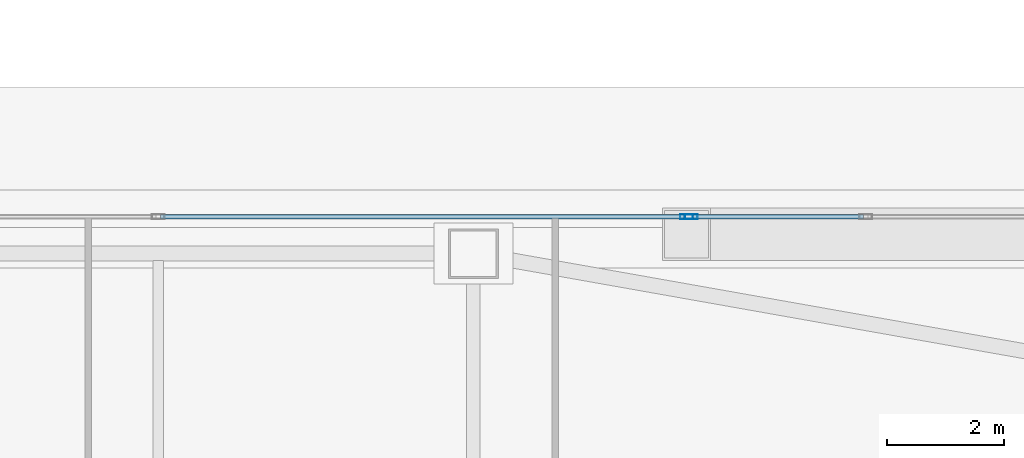
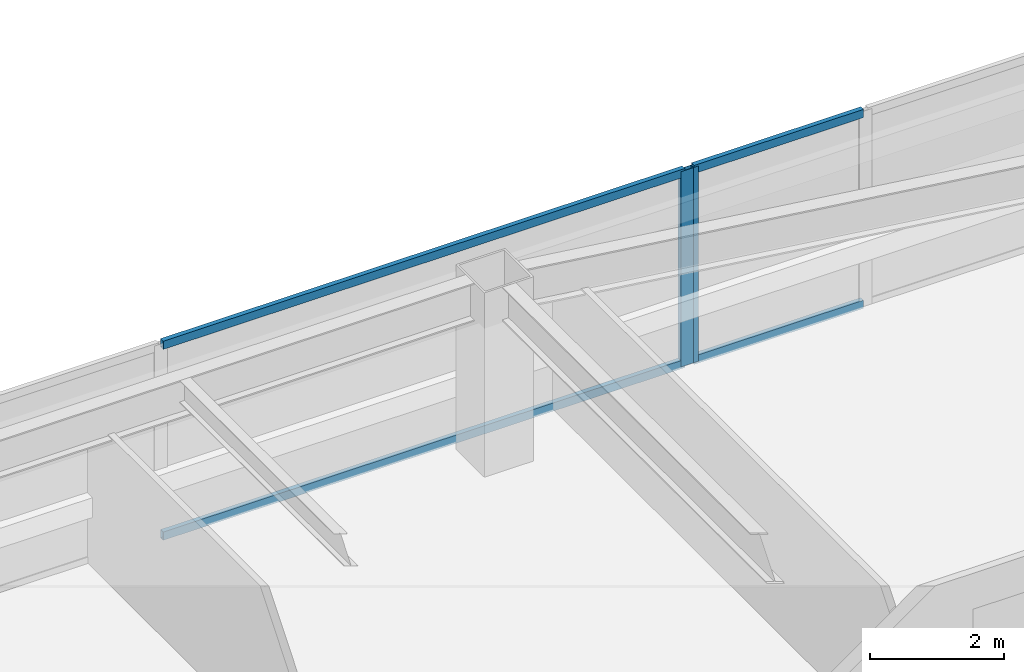
# One storey, part 25 of 67: 6 members, 2 elements without a shape of their own.
"""IFC4 building model written with IfcOpenShell, lengths in metres."""

from ifc_helpers import new_model, si_unit, direction, frame, origin, origin_2d, place, context, subcontext, project, spatial, hollow_rectangle, extrude, material, material_profile, profile_set, type_object, element, aggregate, save


model = new_model("IFC4")

# Units and contexts
model_context = context("Model", 3, precision=1e-05, world=origin(), true_north=direction((0.0, 1.0)))
body_context = subcontext(model_context, "Body", "Model", "MODEL_VIEW")
ifc_project = project(units=[si_unit("LENGTHUNIT", "METRE"), si_unit("AREAUNIT", "SQUARE_METRE"), si_unit("VOLUMEUNIT", "CUBIC_METRE"), si_unit("PLANEANGLEUNIT", "RADIAN"), si_unit("MASSUNIT", "GRAM", prefix="KILO")], contexts=[model_context])

# Site, building, storey
site_placement = place(None, origin())
site = spatial("IfcSite", under=ifc_project, at=site_placement, CompositionType="ELEMENT")
building_placement = place(site_placement, origin())
building = spatial("IfcBuilding", under=site, at=building_placement, Name="Tashvorn Skyway Center", CompositionType="ELEMENT")
storey_placement = place(building_placement, frame((0.0, 0.0, 67.199951171875)))
storey = spatial("IfcBuildingStorey", under=building, at=storey_placement, Name="L17", CompositionType="ELEMENT", Elevation=67.199951171875)

# Curtain wall, member
ifc_material = material(Name="Thermally broken bronze-anodized aluminium 6063-T6", Category="aluminium")
curtain_wall_type = type_object("IfcCurtainWallType", Name="CW-CW-Z2", PredefinedType="NOTDEFINED", material=ifc_material)
curtain_wall_1_placement = place(storey_placement, origin())
curtain_wall_1 = element("IfcCurtainWall", 1, at=curtain_wall_1_placement, inside=storey, type_object=curtain_wall_type, Name="Tower 1 L17 North Unitised Curtain Wall Glazing Group 2", PredefinedType="NOTDEFINED")
ifc_material_profile_1 = material_profile(ifc_material, hollow_rectangle(XDim=0.080078125, YDim=0.219970703125, WallThickness=0.0048828125, at=origin_2d()), Name="ALU-MULL-80x220")
ifc_profile_set_1 = profile_set([ifc_material_profile_1], Name="Thermally broken bronze-anodized aluminium 6063-T6")
member_type_1 = type_object("IfcMemberType", Name="CWM-CW-Z2", PredefinedType="MULLION", material=ifc_profile_set_1)
member_1_placement = place(storey_placement, frame((51.050048828125, 52.97998046875, 0.0), z_axis=(0.0, 0.0, 1.0), x_axis=(0.0, 1.0, 0.0)))
member_1 = element("IfcMember", 2, at=member_1_placement, type_object=member_type_1, Name="CW-Z2 mullion 3", PredefinedType="MULLION", context=body_context, shape_type="SweptSolid", body=[
    extrude(hollow_rectangle(XDim=0.080078125, YDim=0.219970703125, WallThickness=0.0048828125, at=origin_2d()), origin(), (0.0, 0.0, 1.0), 3.550048828125),
])

curtain_wall_2_placement = place(storey_placement, origin())
curtain_wall_2 = element("IfcCurtainWall", 3, at=curtain_wall_2_placement, inside=storey, type_object=curtain_wall_type, Name="Tower 1 L17 North Unitised Curtain Wall Glazing Group 3", PredefinedType="NOTDEFINED")
member_2_placement = place(storey_placement, frame((51.1298828125, 52.97998046875, 0.0), z_axis=(0.0, 0.0, 1.0), x_axis=(0.0, 1.0, 0.0)))
member_2 = element("IfcMember", 4, at=member_2_placement, type_object=member_type_1, Name="CW-Z2 mullion 1", PredefinedType="MULLION", context=body_context, shape_type="SweptSolid", body=[
    extrude(hollow_rectangle(XDim=0.080078125, YDim=0.219970703125, WallThickness=0.0048828125, at=origin_2d()), origin(), (0.0, 0.0, 1.0), 3.550048828125),
])

# Member
ifc_material_profile_2 = material_profile(ifc_material, hollow_rectangle(XDim=0.080078125, YDim=0.14990234375, WallThickness=0.00439453125, at=origin_2d()), Name="ALU-TRAN-80x150")
ifc_profile_set_2 = profile_set([ifc_material_profile_2], Name="Thermally broken bronze-anodized aluminium 6063-T6")
member_type_2 = type_object("IfcMemberType", Name="CWT-CW-Z2", PredefinedType="USERDEFINED", material=ifc_profile_set_2)
member_3_placement = place(storey_placement, frame((42.0400390625, 52.97998046875, 0.0400390625), z_axis=(1.0, 0.0, 0.0), x_axis=(0.0, 1.0, 0.0)))
member_3 = element("IfcMember", 5, at=member_3_placement, type_object=member_type_2, Name="CW-Z2 transom 2.1", ObjectType="TRANSOM", PredefinedType="USERDEFINED", context=body_context, shape_type="SweptSolid", body=[
    extrude(hollow_rectangle(XDim=0.080078125, YDim=0.14990234375, WallThickness=0.00439453125, at=origin_2d()), origin(), (0.0, 0.0, 1.0), 8.969970703125),
])

member_4_placement = place(storey_placement, frame((42.0400390625, 52.97998046875, 3.510009765625), z_axis=(1.0, 0.0, 0.0), x_axis=(0.0, 1.0, 0.0)))
member_4 = element("IfcMember", 6, at=member_4_placement, type_object=member_type_2, Name="CW-Z2 transom 2.2", ObjectType="TRANSOM", PredefinedType="USERDEFINED", context=body_context, shape_type="SweptSolid", body=[
    extrude(hollow_rectangle(XDim=0.080078125, YDim=0.14990234375, WallThickness=0.00439453125, at=origin_2d()), origin(), (0.0, 0.0, 1.0), 8.969970703125),
])

aggregate(curtain_wall_1, [member_1, member_3, member_4])

member_5_placement = place(storey_placement, frame((51.169921875, 52.97998046875, 0.0400390625), z_axis=(1.0, 0.0, 0.0), x_axis=(0.0, 1.0, 0.0)))
member_5 = element("IfcMember", 7, at=member_5_placement, type_object=member_type_2, Name="CW-Z2 transom 1.1", ObjectType="TRANSOM", PredefinedType="USERDEFINED", context=body_context, shape_type="SweptSolid", body=[
    extrude(hollow_rectangle(XDim=0.080078125, YDim=0.14990234375, WallThickness=0.00439453125, at=origin_2d()), origin(), (0.0, 0.0, 1.0), 2.91015625),
])

member_6_placement = place(storey_placement, frame((51.169921875, 52.97998046875, 3.510009765625), z_axis=(1.0, 0.0, 0.0), x_axis=(0.0, 1.0, 0.0)))
member_6 = element("IfcMember", 8, at=member_6_placement, type_object=member_type_2, Name="CW-Z2 transom 1.2", ObjectType="TRANSOM", PredefinedType="USERDEFINED", context=body_context, shape_type="SweptSolid", body=[
    extrude(hollow_rectangle(XDim=0.080078125, YDim=0.14990234375, WallThickness=0.00439453125, at=origin_2d()), origin(), (0.0, 0.0, 1.0), 2.91015625),
])

aggregate(curtain_wall_2, [member_2, member_5, member_6])

save(model, "model.ifc")
